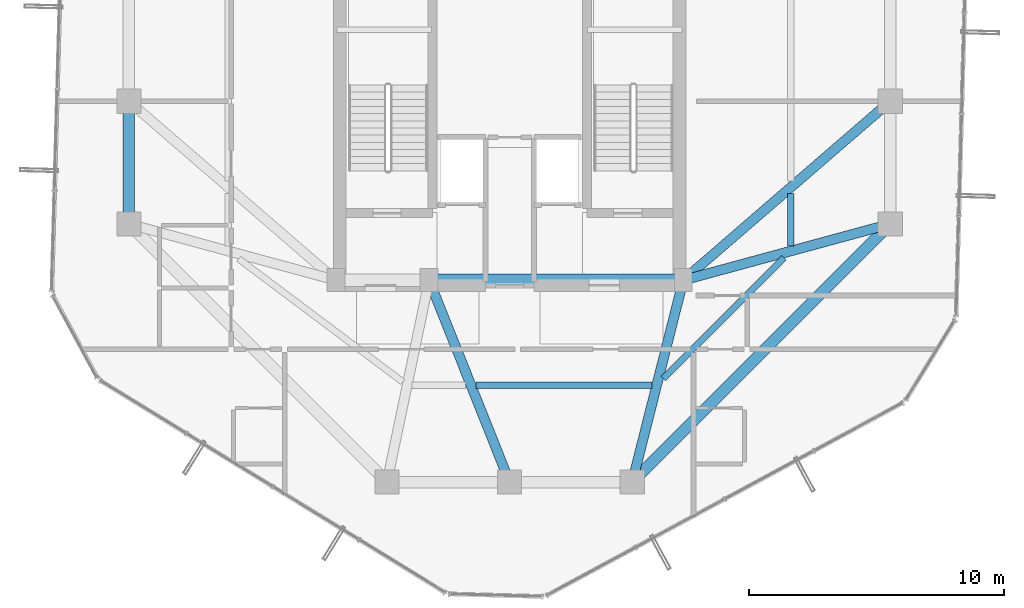
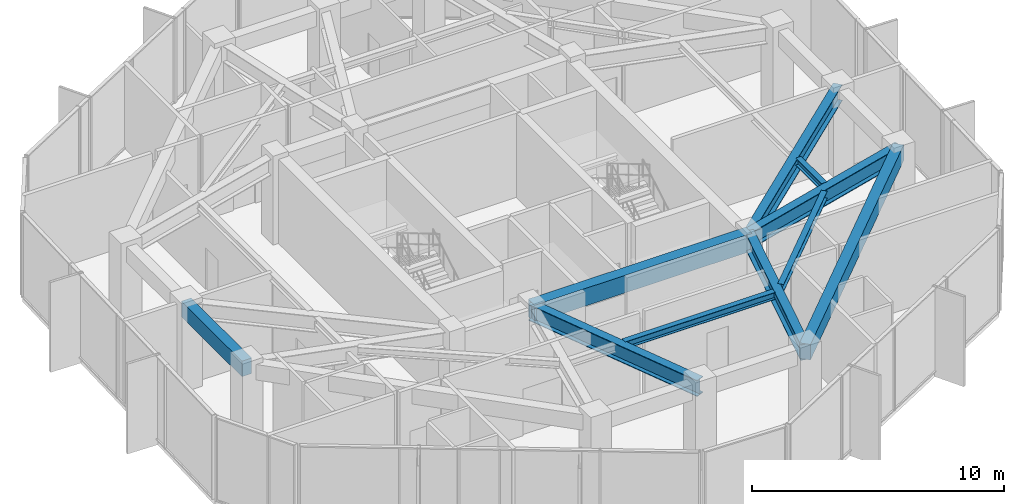
# One storey, part 7 of 22: 10 beams.
"""IFC4 building model written with IfcOpenShell, lengths in metres."""

from ifc_helpers import new_model, si_unit, direction, frame, origin, origin_2d, place, context, subcontext, project, spatial, rectangle, i_section, extrude, material, material_profile, profile_set, type_object, element, save


model = new_model("IFC4")

# Units and contexts
model_context = context("Model", 3, precision=1e-05, world=origin(), true_north=direction((0.0, 1.0)))
body_context = subcontext(model_context, "Body", "Model", "MODEL_VIEW")
ifc_project = project(units=[si_unit("LENGTHUNIT", "METRE"), si_unit("AREAUNIT", "SQUARE_METRE"), si_unit("VOLUMEUNIT", "CUBIC_METRE"), si_unit("PLANEANGLEUNIT", "RADIAN"), si_unit("MASSUNIT", "GRAM", prefix="KILO")], contexts=[model_context])

# Site, building, storey
site_placement = place(None, origin())
site = spatial("IfcSite", under=ifc_project, at=site_placement, CompositionType="ELEMENT")
building_placement = place(site_placement, origin())
building = spatial("IfcBuilding", under=site, at=building_placement, Name="Veraguas Prism Commons", CompositionType="ELEMENT")
storey_placement = place(building_placement, frame((0.0, 0.0, 211.35009765625)))
storey = spatial("IfcBuildingStorey", under=building, at=storey_placement, Name="L60", CompositionType="ELEMENT", Elevation=211.35009765625)

# Beams
ifc_material_1 = material(Name="Steel ASTM A992 Grade 50", Category="steel")
ifc_material_profile_1 = material_profile(ifc_material_1, i_section(OverallWidth=0.382080078125, OverallDepth=0.779052734375, WebThickness=0.01806640625, FlangeThickness=0.030029296875, at=origin_2d()), Name="W760X284")
ifc_profile_set_1 = profile_set([ifc_material_profile_1], Name="Steel ASTM A992 Grade 50")
beam_type_1 = type_object("IfcBeamType", Name="Assembly Primary Girder W760x284", PredefinedType="BEAM", material=ifc_profile_set_1)
beam_1_placement = place(storey_placement, frame((38.89990234375, 19.199951171875, 3.67529296875), z_axis=(-0.965038506703, -0.262108146725, 0.0), x_axis=(0.262108146725, -0.965038506703, 0.0)))
element("IfcBeam", 1, at=beam_1_placement, inside=storey, type_object=beam_type_1, Name="Radial Floor Girder L60-RD01", PredefinedType="BEAM", context=body_context, shape_type="SweptSolid", body=[
    extrude(i_section(OverallWidth=0.382080078125, OverallDepth=0.779052734375, WebThickness=0.01806640625, FlangeThickness=0.030029296875, at=origin_2d()), origin(), (0.0, 0.0, 1.0), 8.393310546875),
])
beam_2_placement = place(storey_placement, frame((38.89990234375, 24.0, 3.67529296875), z_axis=(-0.756607086554, -0.653869800936, 0.0), x_axis=(0.653869800936, -0.756607086554, 0.0)))
element("IfcBeam", 2, at=beam_2_placement, inside=storey, type_object=beam_type_1, Name="Radial Floor Girder L60-RD02", PredefinedType="BEAM", context=body_context, shape_type="SweptSolid", body=[
    extrude(i_section(OverallWidth=0.382080078125, OverallDepth=0.779052734375, WebThickness=0.01806640625, FlangeThickness=0.030029296875, at=origin_2d()), origin(), (0.0, 0.0, 1.0), 10.70556640625),
])
beam_3_placement = place(storey_placement, frame((24.0, 9.10009765625, 3.67529296875), z_axis=(-0.370370877803, 0.928883960931, 0.0), x_axis=(-0.928883960931, -0.370370877803, 0.0)))
element("IfcBeam", 3, at=beam_3_placement, inside=storey, type_object=beam_type_1, Name="Radial Floor Girder L60-RD11", PredefinedType="BEAM", context=body_context, shape_type="SweptSolid", body=[
    extrude(i_section(OverallWidth=0.382080078125, OverallDepth=0.779052734375, WebThickness=0.01806640625, FlangeThickness=0.030029296875, at=origin_2d()), origin(), (0.0, 0.0, 1.0), 8.504638671875),
])
beam_4_placement = place(storey_placement, frame((28.800048828125, 9.10009765625, 3.67529296875), z_axis=(0.245424718066, 0.969415652732, 0.0), x_axis=(-0.969415652732, 0.245424718066, 0.0)))
element("IfcBeam", 4, at=beam_4_placement, inside=storey, type_object=beam_type_1, Name="Radial Floor Girder L60-RD12", PredefinedType="BEAM", context=body_context, shape_type="SweptSolid", body=[
    extrude(i_section(OverallWidth=0.382080078125, OverallDepth=0.779052734375, WebThickness=0.01806640625, FlangeThickness=0.030029296875, at=origin_2d()), origin(), (0.0, 0.0, 1.0), 8.149169921875),
])
ifc_material_2 = material(Name="Concrete C50/60", Category="concrete")
ifc_material_profile_2 = material_profile(ifc_material_2, rectangle(XDim=0.5, YDim=0.85009765625, at=origin_2d()), Name="RC500X850")
ifc_profile_set_2 = profile_set([ifc_material_profile_2], Name="Concrete C50/60")
beam_type_2 = type_object("IfcBeamType", Name="Core Coupling Beam RC 500x850", PredefinedType="BEAM", material=ifc_profile_set_2)
beam_5_placement = place(storey_placement, frame((20.85009765625, 17.0, 3.639892578125), z_axis=(1.0, 0.0, 0.0), x_axis=(0.0, 1.0, 0.0)))
element("IfcBeam", 5, at=beam_5_placement, inside=storey, type_object=beam_type_2, Name="Core Coupling Beam L60-CRS2", PredefinedType="BEAM", context=body_context, shape_type="SweptSolid", body=[
    extrude(rectangle(XDim=0.5, YDim=0.85009765625, at=origin_2d()), origin(), (0.0, 0.0, 1.0), 9.949951171875),
])
ifc_material_profile_3 = material_profile(ifc_material_2, rectangle(XDim=0.449951171875, YDim=0.75, at=origin_2d()), Name="RC450X750")
ifc_profile_set_3 = profile_set([ifc_material_profile_3], Name="Concrete C50/60")
beam_type_3 = type_object("IfcBeamType", Name="Perimeter Spandrel Upper RC 450x750", PredefinedType="SPANDREL", material=ifc_profile_set_3)
beam_6_placement = place(storey_placement, frame((9.10009765625, 24.0, 3.68994140625), z_axis=(0.0, -1.0, 0.0), x_axis=(1.0, 0.0, 0.0)))
element("IfcBeam", 6, at=beam_6_placement, inside=storey, type_object=beam_type_3, Name="Perimeter Spandrel Beam L60-SP08", PredefinedType="SPANDREL", context=body_context, shape_type="SweptSolid", body=[
    extrude(rectangle(XDim=0.449951171875, YDim=0.75, at=origin_2d()), origin(), (0.0, 0.0, 1.0), 4.800048828125),
])
beam_7_placement = place(storey_placement, frame((28.800048828125, 9.10009765625, 3.68994140625), z_axis=(0.707106781187, 0.707106781187, 0.0), x_axis=(-0.707106781187, 0.707106781187, 0.0)))
element("IfcBeam", 7, at=beam_7_placement, inside=storey, type_object=beam_type_3, Name="Perimeter Spandrel Beam L60-SP12", PredefinedType="SPANDREL", context=body_context, shape_type="SweptSolid", body=[
    extrude(rectangle(XDim=0.449951171875, YDim=0.75, at=origin_2d()), origin(), (0.0, 0.0, 1.0), 14.283447265625),
])
ifc_material_profile_4 = material_profile(ifc_material_1, i_section(OverallWidth=0.25390625, OverallDepth=0.35302734375, WebThickness=0.009521484375, FlangeThickness=0.016357421875, at=origin_2d()), Name="W360X91")
ifc_profile_set_4 = profile_set([ifc_material_profile_4], Name="Steel ASTM A992 Grade 50")
beam_type_4 = type_object("IfcBeamType", Name="Upper Floor Joist W360x91", PredefinedType="JOIST", material=ifc_profile_set_4)
beam_8_placement = place(storey_placement, frame((35.011962890625, 18.33984375, 3.888427734375), z_axis=(0.0, 1.0, 0.0), x_axis=(-1.0, 0.0, 0.0)))
element("IfcBeam", 8, at=beam_8_placement, inside=storey, type_object=beam_type_4, Name="Composite Floor Joist L60-JS01", PredefinedType="JOIST", context=body_context, shape_type="SweptSolid", body=[
    extrude(i_section(OverallWidth=0.25390625, OverallDepth=0.35302734375, WebThickness=0.009521484375, FlangeThickness=0.016357421875, at=origin_2d()), origin(), (0.0, 0.0, 1.0), 2.05029296875),
])
beam_9_placement = place(storey_placement, frame((22.69140625, 12.89208984375, 3.888427734375), z_axis=(1.0, 0.0, 0.0), x_axis=(0.0, 1.0, 0.0)))
element("IfcBeam", 9, at=beam_9_placement, inside=storey, type_object=beam_type_4, Name="Composite Floor Joist L60-JS11", PredefinedType="JOIST", context=body_context, shape_type="SweptSolid", body=[
    extrude(i_section(OverallWidth=0.25390625, OverallDepth=0.35302734375, WebThickness=0.009521484375, FlangeThickness=0.016357421875, at=origin_2d()), origin(), (0.0, 0.0, 1.0), 6.87353515625),
])
beam_10_placement = place(storey_placement, frame((30.02099609375, 13.153076171875, 3.888427734375), z_axis=(0.707125060473, 0.707088501427, 0.0), x_axis=(-0.707088501427, 0.707125060473, 0.0)))
element("IfcBeam", 10, at=beam_10_placement, inside=storey, type_object=beam_type_4, Name="Composite Floor Joist L60-JS12", PredefinedType="JOIST", context=body_context, shape_type="SweptSolid", body=[
    extrude(i_section(OverallWidth=0.25390625, OverallDepth=0.35302734375, WebThickness=0.009521484375, FlangeThickness=0.016357421875, at=origin_2d()), origin(), (0.0, 0.0, 1.0), 6.677978515625),
])

save(model, "model.ifc")
